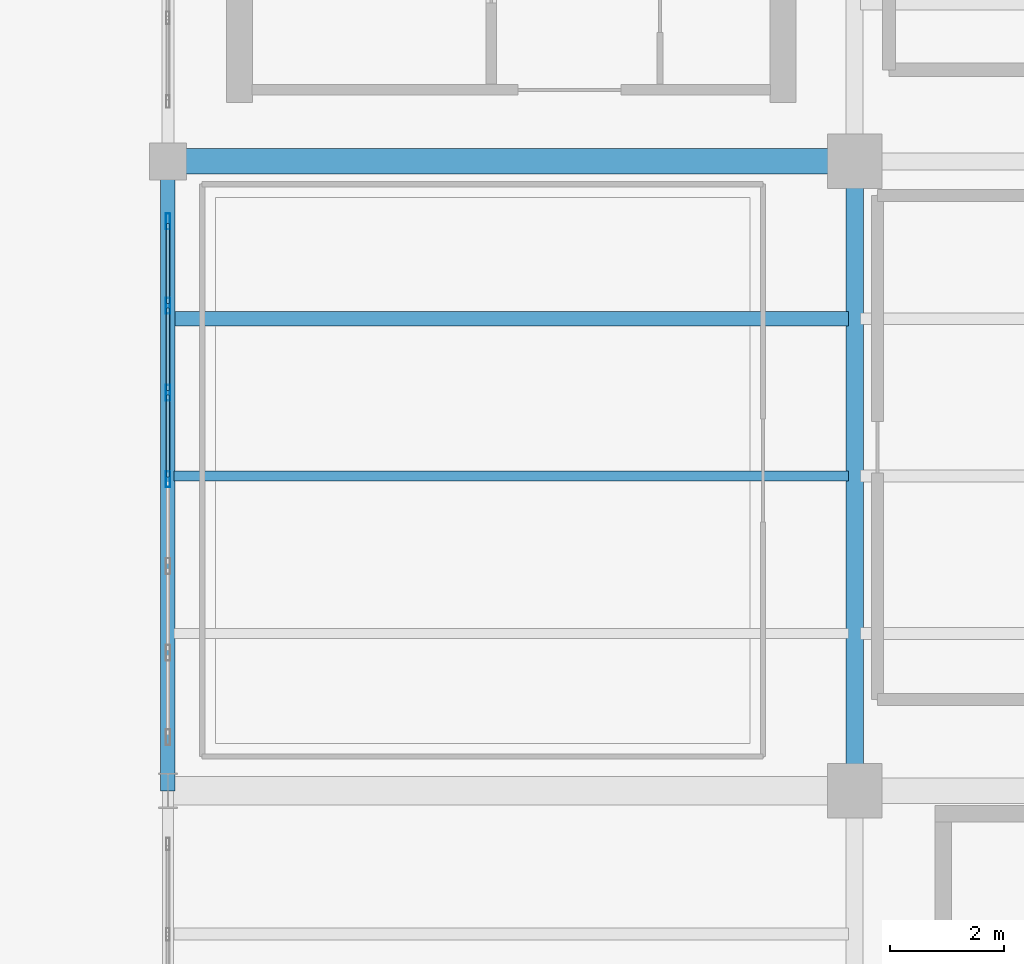
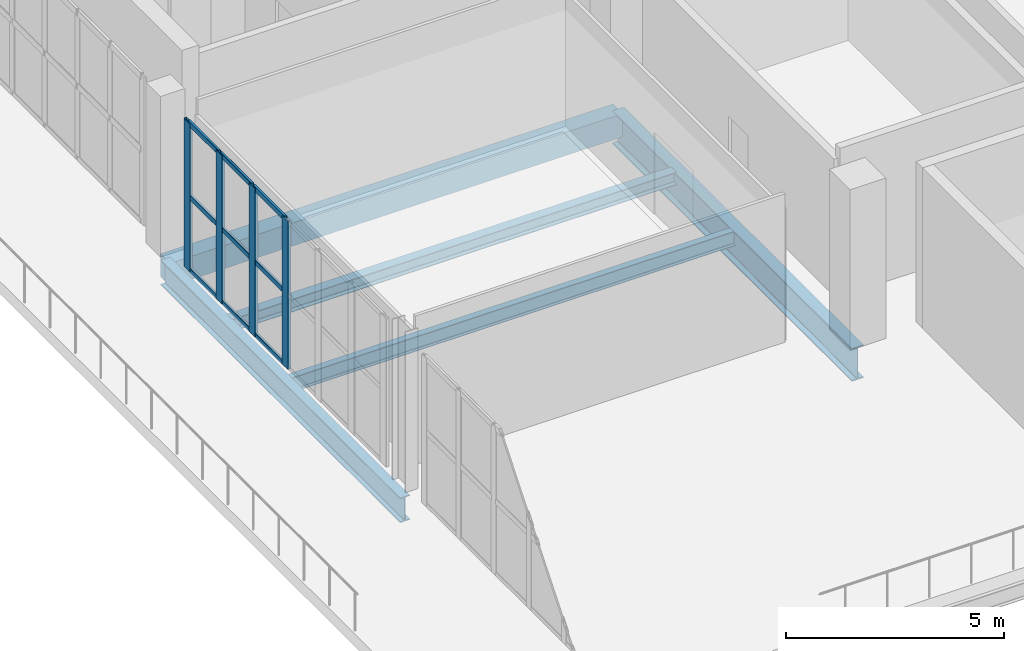
# One storey, part 8 of 90: 13 members, 5 beams, 1 element without a shape of its own.
"""IFC4 building model written with IfcOpenShell, lengths in metres."""

from ifc_helpers import new_model, si_unit, direction, frame, origin, origin_2d, place, context, subcontext, project, spatial, rectangle, hollow_rectangle, i_section, extrude, material, layer, layer_set, material_profile, profile_set, type_object, element, aggregate, save


model = new_model("IFC4")

# Units and contexts
model_context = context("Model", 3, precision=1e-05, world=origin(), true_north=direction((0.0, 1.0)))
body_context = subcontext(model_context, "Body", "Model", "MODEL_VIEW")
ifc_project = project(units=[si_unit("LENGTHUNIT", "METRE"), si_unit("AREAUNIT", "SQUARE_METRE"), si_unit("VOLUMEUNIT", "CUBIC_METRE"), si_unit("PLANEANGLEUNIT", "RADIAN"), si_unit("MASSUNIT", "GRAM", prefix="KILO")], contexts=[model_context])

# Site, building, storey
site_placement = place(None, origin())
site = spatial("IfcSite", under=ifc_project, at=site_placement, CompositionType="ELEMENT")
building_placement = place(site_placement, origin())
building = spatial("IfcBuilding", under=site, at=building_placement, Name="Brinegate Civic Arena", CompositionType="ELEMENT")
storey_placement = place(building_placement, frame((0.0, 0.0, 14.699951171875)))
storey = spatial("IfcBuildingStorey", under=building, at=storey_placement, Name="L03", CompositionType="ELEMENT", Elevation=14.699951171875)

# Curtain wall, members
ifc_material_1 = material(Name="Marine grade aluminium", Category="aluminium")
ifc_layer = layer(ifc_material_1, 0.199951171875, Name="Marine grade aluminium")
ifc_layer_set = layer_set([ifc_layer], Name="Marine grade aluminium")
curtain_wall_type = type_object("IfcCurtainWallType", Name="CW-BOWL-GLAZED-01", PredefinedType="USERDEFINED", material=ifc_layer_set)
curtain_wall_placement = place(storey_placement, origin())
curtain_wall = element("IfcCurtainWall", 1, at=curtain_wall_placement, inside=storey, type_object=curtain_wall_type, Name="Curtain Wall CWA-107", ObjectType="GLAZED CURTAIN WALL", PredefinedType="USERDEFINED")
ifc_material_profile_1 = material_profile(ifc_material_1, hollow_rectangle(XDim=0.080078125, YDim=0.280029296875, WallThickness=0.007080078125, InnerFilletRadius=0.0048828125, OuterFilletRadius=0.010009765625, at=origin_2d()), Name="MUL80X280")
ifc_profile_set_1 = profile_set([ifc_material_profile_1], Name="Marine grade aluminium")
member_type_1 = type_object("IfcMemberType", Name="CW-MULLION-80X280", PredefinedType="MULLION", material=ifc_profile_set_1)
member_1_placement = place(storey_placement, frame((48.0, 25.443115234375, 0.0), z_axis=(0.0, 0.0, 1.0), x_axis=(-1.0, 0.0, 0.0)))
member_1 = element("IfcMember", 2, at=member_1_placement, type_object=member_type_1, Name="CWA-107 mullion 4", PredefinedType="MULLION", context=body_context, shape_type="SweptSolid", body=[
    extrude(hollow_rectangle(XDim=0.080078125, YDim=0.280029296875, WallThickness=0.007080078125, InnerFilletRadius=0.0048828125, OuterFilletRadius=0.010009765625, at=origin_2d()), origin(), (0.0, 0.0, 1.0), 4.16015625),
])
member_2_placement = place(storey_placement, frame((48.0, 26.958740234375, 0.0), z_axis=(0.0, 0.0, 1.0), x_axis=(-1.0, 0.0, 0.0)))
member_2 = element("IfcMember", 3, at=member_2_placement, type_object=member_type_1, Name="CWA-107 mullion 5", PredefinedType="MULLION", context=body_context, shape_type="SweptSolid", body=[
    extrude(hollow_rectangle(XDim=0.080078125, YDim=0.280029296875, WallThickness=0.007080078125, InnerFilletRadius=0.0048828125, OuterFilletRadius=0.010009765625, at=origin_2d()), origin(), (0.0, 0.0, 1.0), 4.16015625),
])
member_3_placement = place(storey_placement, frame((48.0, 28.474365234375, 0.0), z_axis=(0.0, 0.0, 1.0), x_axis=(-1.0, 0.0, 0.0)))
member_3 = element("IfcMember", 4, at=member_3_placement, type_object=member_type_1, Name="CWA-107 mullion 6", PredefinedType="MULLION", context=body_context, shape_type="SweptSolid", body=[
    extrude(hollow_rectangle(XDim=0.080078125, YDim=0.280029296875, WallThickness=0.007080078125, InnerFilletRadius=0.0048828125, OuterFilletRadius=0.010009765625, at=origin_2d()), origin(), (0.0, 0.0, 1.0), 4.16015625),
])
member_4_placement = place(storey_placement, frame((48.0, 29.949951171875, 0.0), z_axis=(0.0, 0.0, 1.0), x_axis=(-1.0, 0.0, 0.0)))
member_4 = element("IfcMember", 5, at=member_4_placement, type_object=member_type_1, Name="CWA-107 mullion 7", PredefinedType="MULLION", context=body_context, shape_type="SweptSolid", body=[
    extrude(hollow_rectangle(XDim=0.080078125, YDim=0.280029296875, WallThickness=0.007080078125, InnerFilletRadius=0.0048828125, OuterFilletRadius=0.010009765625, at=origin_2d()), origin(), (0.0, 0.0, 1.0), 4.16015625),
])
ifc_material_profile_2 = material_profile(ifc_material_1, hollow_rectangle(XDim=0.06494140625, YDim=0.139892578125, WallThickness=0.0048828125, InnerFilletRadius=0.00390625, OuterFilletRadius=0.008056640625, at=origin_2d()), Name="TRN65X140")
ifc_profile_set_2 = profile_set([ifc_material_profile_2], Name="Marine grade aluminium")
member_type_2 = type_object("IfcMemberType", Name="CW-TRANSOM-65X140", PredefinedType="USERDEFINED", material=ifc_profile_set_2)
member_5_placement = place(storey_placement, frame((48.0, 25.48291015625, 0.032470703125), z_axis=(0.0, 1.0, 0.0), x_axis=(-1.0, 0.0, 0.0)))
member_5 = element("IfcMember", 6, at=member_5_placement, type_object=member_type_2, Name="CWA-107 transom 4.1", ObjectType="TRANSOM", PredefinedType="USERDEFINED", context=body_context, shape_type="SweptSolid", body=[
    extrude(hollow_rectangle(XDim=0.06494140625, YDim=0.139892578125, WallThickness=0.0048828125, InnerFilletRadius=0.00390625, OuterFilletRadius=0.008056640625, at=origin_2d()), origin(), (0.0, 0.0, 1.0), 1.435791015625),
])
member_6_placement = place(storey_placement, frame((48.0, 25.48291015625, 2.080078125), z_axis=(0.0, 1.0, 0.0), x_axis=(-1.0, 0.0, 0.0)))
member_6 = element("IfcMember", 7, at=member_6_placement, type_object=member_type_2, Name="CWA-107 transom 4.2", ObjectType="TRANSOM", PredefinedType="USERDEFINED", context=body_context, shape_type="SweptSolid", body=[
    extrude(hollow_rectangle(XDim=0.06494140625, YDim=0.139892578125, WallThickness=0.0048828125, InnerFilletRadius=0.00390625, OuterFilletRadius=0.008056640625, at=origin_2d()), origin(), (0.0, 0.0, 1.0), 1.435791015625),
])
member_7_placement = place(storey_placement, frame((48.0, 25.48291015625, 4.12744140625), z_axis=(0.0, 1.0, 0.0), x_axis=(-1.0, 0.0, 0.0)))
member_7 = element("IfcMember", 8, at=member_7_placement, type_object=member_type_2, Name="CWA-107 transom 4.3", ObjectType="TRANSOM", PredefinedType="USERDEFINED", context=body_context, shape_type="SweptSolid", body=[
    extrude(hollow_rectangle(XDim=0.06494140625, YDim=0.139892578125, WallThickness=0.0048828125, InnerFilletRadius=0.00390625, OuterFilletRadius=0.008056640625, at=origin_2d()), origin(), (0.0, 0.0, 1.0), 1.435791015625),
])
member_8_placement = place(storey_placement, frame((48.0, 26.998779296875, 0.032470703125), z_axis=(0.0, 1.0, 0.0), x_axis=(-1.0, 0.0, 0.0)))
member_8 = element("IfcMember", 9, at=member_8_placement, type_object=member_type_2, Name="CWA-107 transom 5.1", ObjectType="TRANSOM", PredefinedType="USERDEFINED", context=body_context, shape_type="SweptSolid", body=[
    extrude(hollow_rectangle(XDim=0.06494140625, YDim=0.139892578125, WallThickness=0.0048828125, InnerFilletRadius=0.00390625, OuterFilletRadius=0.008056640625, at=origin_2d()), origin(), (0.0, 0.0, 1.0), 1.435546875),
])
member_9_placement = place(storey_placement, frame((48.0, 26.998779296875, 2.080078125), z_axis=(0.0, 1.0, 0.0), x_axis=(-1.0, 0.0, 0.0)))
member_9 = element("IfcMember", 10, at=member_9_placement, type_object=member_type_2, Name="CWA-107 transom 5.2", ObjectType="TRANSOM", PredefinedType="USERDEFINED", context=body_context, shape_type="SweptSolid", body=[
    extrude(hollow_rectangle(XDim=0.06494140625, YDim=0.139892578125, WallThickness=0.0048828125, InnerFilletRadius=0.00390625, OuterFilletRadius=0.008056640625, at=origin_2d()), origin(), (0.0, 0.0, 1.0), 1.435546875),
])
member_10_placement = place(storey_placement, frame((48.0, 26.998779296875, 4.12744140625), z_axis=(0.0, 1.0, 0.0), x_axis=(-1.0, 0.0, 0.0)))
member_10 = element("IfcMember", 11, at=member_10_placement, type_object=member_type_2, Name="CWA-107 transom 5.3", ObjectType="TRANSOM", PredefinedType="USERDEFINED", context=body_context, shape_type="SweptSolid", body=[
    extrude(hollow_rectangle(XDim=0.06494140625, YDim=0.139892578125, WallThickness=0.0048828125, InnerFilletRadius=0.00390625, OuterFilletRadius=0.008056640625, at=origin_2d()), origin(), (0.0, 0.0, 1.0), 1.435546875),
])
member_11_placement = place(storey_placement, frame((48.0, 28.514404296875, 0.032470703125), z_axis=(0.0, 1.0, 0.0), x_axis=(-1.0, 0.0, 0.0)))
member_11 = element("IfcMember", 12, at=member_11_placement, type_object=member_type_2, Name="CWA-107 transom 6.1", ObjectType="TRANSOM", PredefinedType="USERDEFINED", context=body_context, shape_type="SweptSolid", body=[
    extrude(hollow_rectangle(XDim=0.06494140625, YDim=0.139892578125, WallThickness=0.0048828125, InnerFilletRadius=0.00390625, OuterFilletRadius=0.008056640625, at=origin_2d()), origin(), (0.0, 0.0, 1.0), 1.3955078125),
])
member_12_placement = place(storey_placement, frame((48.0, 28.514404296875, 2.080078125), z_axis=(0.0, 1.0, 0.0), x_axis=(-1.0, 0.0, 0.0)))
member_12 = element("IfcMember", 13, at=member_12_placement, type_object=member_type_2, Name="CWA-107 transom 6.2", ObjectType="TRANSOM", PredefinedType="USERDEFINED", context=body_context, shape_type="SweptSolid", body=[
    extrude(hollow_rectangle(XDim=0.06494140625, YDim=0.139892578125, WallThickness=0.0048828125, InnerFilletRadius=0.00390625, OuterFilletRadius=0.008056640625, at=origin_2d()), origin(), (0.0, 0.0, 1.0), 1.3955078125),
])
member_13_placement = place(storey_placement, frame((48.0, 28.514404296875, 4.12744140625), z_axis=(0.0, 1.0, 0.0), x_axis=(-1.0, 0.0, 0.0)))
member_13 = element("IfcMember", 14, at=member_13_placement, type_object=member_type_2, Name="CWA-107 transom 6.3", ObjectType="TRANSOM", PredefinedType="USERDEFINED", context=body_context, shape_type="SweptSolid", body=[
    extrude(hollow_rectangle(XDim=0.06494140625, YDim=0.139892578125, WallThickness=0.0048828125, InnerFilletRadius=0.00390625, OuterFilletRadius=0.008056640625, at=origin_2d()), origin(), (0.0, 0.0, 1.0), 1.3955078125),
])
aggregate(curtain_wall, [member_1, member_2, member_3, member_4, member_5, member_6, member_7, member_8, member_9, member_10, member_11, member_12, member_13])

# Beams
ifc_material_2 = material(Name="Steel S355", Category="steel")
ifc_material_profile_3 = material_profile(ifc_material_2, i_section(OverallWidth=0.30810546875, OverallDepth=0.927001953125, WebThickness=0.01904296875, FlangeThickness=0.031982421875, FilletRadius=0.02392578125, at=origin_2d()), Name="W920X289")
ifc_profile_set_3 = profile_set([ifc_material_profile_3], Name="Steel S355")
beam_type_1 = type_object("IfcBeamType", Name="GIRDER-W920X289", PredefinedType="BEAM", material=ifc_profile_set_3)
beam_1_placement = place(storey_placement, frame((60.0, 20.0, -0.81298828125), z_axis=(0.0, 1.0, 0.0), x_axis=(-1.0, 0.0, 0.0)))
element("IfcBeam", 15, at=beam_1_placement, inside=storey, type_object=beam_type_1, Name="Floor Girder BM-L03-GY-05-02", PredefinedType="BEAM", context=body_context, shape_type="SweptSolid", body=[
    extrude(i_section(OverallWidth=0.30810546875, OverallDepth=0.927001953125, WebThickness=0.01904296875, FlangeThickness=0.031982421875, FilletRadius=0.02392578125, at=origin_2d()), origin(), (0.0, 0.0, 1.0), 11.0),
])
ifc_material_profile_4 = material_profile(ifc_material_2, i_section(OverallWidth=0.25390625, OverallDepth=0.35302734375, WebThickness=0.010009765625, FlangeThickness=0.01611328125, FilletRadius=0.013916015625, at=origin_2d()), Name="W360X91")
ifc_profile_set_4 = profile_set([ifc_material_profile_4], Name="Steel S355")
beam_type_2 = type_object("IfcBeamType", Name="JOIST-W360X91", PredefinedType="JOIST", material=ifc_profile_set_4)
beam_2_placement = place(storey_placement, frame((48.10595703125, 28.25, -0.52587890625), z_axis=(1.0, 0.0, 0.0), x_axis=(0.0, 1.0, 0.0)))
element("IfcBeam", 16, at=beam_2_placement, inside=storey, type_object=beam_type_2, Name="Secondary Joist BM-L03-JX-04-02-3", PredefinedType="JOIST", context=body_context, shape_type="SweptSolid", body=[
    extrude(i_section(OverallWidth=0.25390625, OverallDepth=0.35302734375, WebThickness=0.010009765625, FlangeThickness=0.01611328125, FilletRadius=0.013916015625, at=origin_2d()), origin(), (0.0, 0.0, 1.0), 11.7880859375),
])
ifc_material_profile_5 = material_profile(ifc_material_2, i_section(OverallWidth=0.178955078125, OverallDepth=0.409912109375, WebThickness=0.009033203125, FlangeThickness=0.013916015625, FilletRadius=0.013916015625, at=origin_2d()), Name="W410X67")
ifc_profile_set_5 = profile_set([ifc_material_profile_5], Name="Steel S355")
beam_type_3 = type_object("IfcBeamType", Name="JOIST-W410X67", PredefinedType="JOIST", material=ifc_profile_set_5)
beam_3_placement = place(storey_placement, frame((48.10595703125, 25.5, -0.554931640625), z_axis=(1.0, 0.0, 0.0), x_axis=(0.0, 1.0, 0.0)))
element("IfcBeam", 17, at=beam_3_placement, inside=storey, type_object=beam_type_3, Name="Secondary Joist BM-L03-JX-04-02-2", PredefinedType="JOIST", context=body_context, shape_type="SweptSolid", body=[
    extrude(i_section(OverallWidth=0.178955078125, OverallDepth=0.409912109375, WebThickness=0.009033203125, FlangeThickness=0.013916015625, FilletRadius=0.013916015625, at=origin_2d()), origin(), (0.0, 0.0, 1.0), 11.7880859375),
])
ifc_material_3 = material(Name="Concrete C50/60", Category="concrete")
ifc_material_profile_6 = material_profile(ifc_material_3, rectangle(XDim=0.449951171875, YDim=0.64990234375, at=origin_2d()), Name="RCB450X650")
ifc_profile_set_6 = profile_set([ifc_material_profile_6], Name="Concrete C50/60")
beam_type_4 = type_object("IfcBeamType", Name="RCG-450X650", PredefinedType="BEAM", material=ifc_profile_set_6)
beam_4_placement = place(storey_placement, frame((48.0, 31.0, -0.675048828125), z_axis=(1.0, 0.0, 0.0), x_axis=(0.0, 1.0, 0.0)))
element("IfcBeam", 18, at=beam_4_placement, inside=storey, type_object=beam_type_4, Name="Floor Girder BM-L03-GX-04-03", PredefinedType="BEAM", context=body_context, shape_type="SweptSolid", body=[
    extrude(rectangle(XDim=0.449951171875, YDim=0.64990234375, at=origin_2d()), origin(), (0.0, 0.0, 1.0), 12.0),
])
ifc_material_profile_7 = material_profile(ifc_material_2, i_section(OverallWidth=0.256103515625, OverallDepth=0.693115234375, WebThickness=0.014892578125, FlangeThickness=0.02392578125, FilletRadius=0.01806640625, at=origin_2d()), Name="W690X170")
ifc_profile_set_7 = profile_set([ifc_material_profile_7], Name="Steel S355")
beam_type_5 = type_object("IfcBeamType", Name="SPANDREL-W690X170", PredefinedType="SPANDREL", material=ifc_profile_set_7)
beam_5_placement = place(storey_placement, frame((48.0, 20.0, -0.696044921875), z_axis=(0.0, 1.0, 0.0), x_axis=(-1.0, 0.0, 0.0)))
element("IfcBeam", 19, at=beam_5_placement, inside=storey, type_object=beam_type_5, Name="Floor Girder BM-L03-GY-04-02", PredefinedType="SPANDREL", context=body_context, shape_type="SweptSolid", body=[
    extrude(i_section(OverallWidth=0.256103515625, OverallDepth=0.693115234375, WebThickness=0.014892578125, FlangeThickness=0.02392578125, FilletRadius=0.01806640625, at=origin_2d()), origin(), (0.0, 0.0, 1.0), 11.0),
])

save(model, "model.ifc")
